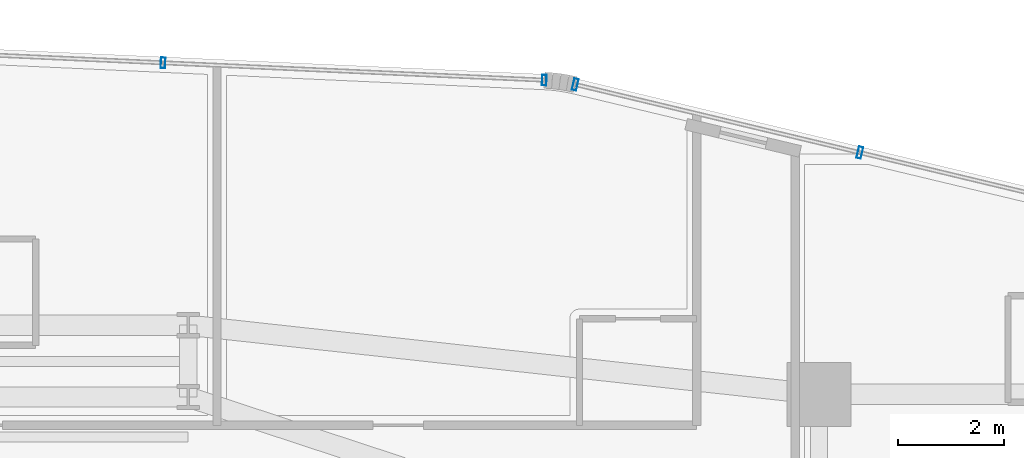
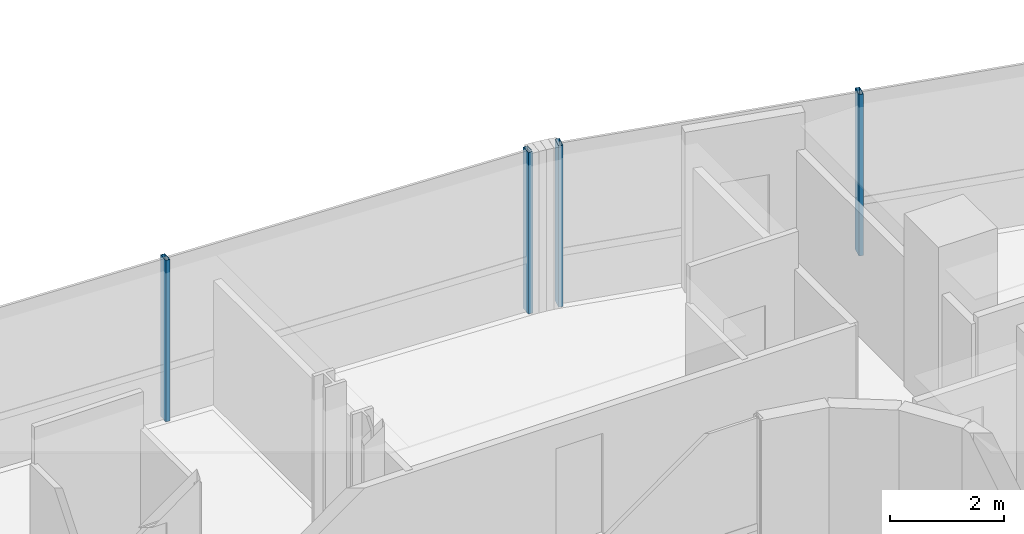
# One storey, part 22 of 35: 4 members, 2 elements without a shape of their own.
"""IFC4 building model written with IfcOpenShell, lengths in metres."""

from ifc_helpers import new_model, si_unit, direction, frame, origin, origin_2d, place, context, subcontext, project, spatial, hollow_rectangle, extrude, source, transform, mapped, material, material_profile, profile_set, type_object, element, aggregate, save


model = new_model("IFC4")

# Units and contexts
model_context = context("Model", 3, precision=1e-05, world=origin(), true_north=direction((0.0, 1.0)))
body_context = subcontext(model_context, "Body", "Model", "MODEL_VIEW")
ifc_project = project(units=[si_unit("LENGTHUNIT", "METRE"), si_unit("AREAUNIT", "SQUARE_METRE"), si_unit("VOLUMEUNIT", "CUBIC_METRE"), si_unit("PLANEANGLEUNIT", "RADIAN"), si_unit("MASSUNIT", "GRAM", prefix="KILO")], contexts=[model_context])

# Site, building, storey
site_placement = place(None, origin())
site = spatial("IfcSite", under=ifc_project, at=site_placement, CompositionType="ELEMENT")
building_placement = place(site_placement, origin())
building = spatial("IfcBuilding", under=site, at=building_placement, Name="Valdorenza Pilgrim Sanctuary Tower", CompositionType="ELEMENT")
storey_placement = place(building_placement, frame((0.0, 0.0, 113.10009765625)))
storey = spatial("IfcBuildingStorey", under=building, at=storey_placement, Name="L28", CompositionType="ELEMENT", Elevation=113.10009765625)

# Curtain wall, members
ifc_material_1 = material(Name="Curtain-wall IGU glazing", Category="glass")
curtain_wall_type_1 = type_object("IfcCurtainWallType", Name="CW-SYS-02", PredefinedType="NOTDEFINED", material=ifc_material_1)
curtain_wall_1_placement = place(storey_placement, origin())
curtain_wall_1 = element("IfcCurtainWall", 1, at=curtain_wall_1_placement, inside=storey, type_object=curtain_wall_type_1, Name="L28 Curtain Wall CW-L28-1-11", PredefinedType="NOTDEFINED")
ifc_material_2 = material(Name="Anodised aluminium AW-6060", Category="aluminium")
ifc_material_profile_1 = material_profile(ifc_material_2, hollow_rectangle(XDim=0.0849609375, YDim=0.199951171875, WallThickness=0.0048828125, at=origin_2d()), Name="ALU-M 200x85x5")
ifc_profile_set_1 = profile_set([ifc_material_profile_1], Name="Anodised aluminium AW-6060")
member_type_1 = type_object("IfcMemberType", Name="CW-MUL-02", PredefinedType="MULLION", material=ifc_profile_set_1)
shared_shape_1 = source(origin(), body_context, "Body", "SweptSolid", [
    extrude(hollow_rectangle(XDim=0.0849609375, YDim=0.199951171875, WallThickness=0.0048828125, at=origin_2d()), origin(), (0.0, 0.0, 1.0), 3.4599609375),
])
member_1_placement = place(storey_placement, frame((3.528076171875, 19.7294921875, 0.0), z_axis=(0.0, 0.0, 1.0), x_axis=(0.998968193221, -0.045415294044, 0.0)))
member_1 = element("IfcMember", 2, at=member_1_placement, type_object=member_type_1, Name="CW-L28-1-11 Mullion 3", PredefinedType="MULLION", context=body_context, shape_type="MappedRepresentation", body=[
    mapped(shared_shape_1, transform((0.0, 0.0, 0.0), x_axis=(1.0, 0.0, 0.0), y_axis=(0.0, 1.0, 0.0), z_axis=(0.0, 0.0, 1.0), scale=1.0)),
])
member_2_placement = place(storey_placement, frame((10.68994140625, 19.404052734375, 0.0), z_axis=(0.0, 0.0, 1.0), x_axis=(0.998968193221, -0.045415294044, 0.0)))
member_2 = element("IfcMember", 3, at=member_2_placement, type_object=member_type_1, Name="CW-L28-1-11 Mullion 4", PredefinedType="MULLION", context=body_context, shape_type="MappedRepresentation", body=[
    mapped(shared_shape_1, transform((0.0, 0.0, 0.0), x_axis=(1.0, 0.0, 0.0), y_axis=(0.0, 1.0, 0.0), z_axis=(0.0, 0.0, 1.0), scale=1.0)),
])
aggregate(curtain_wall_1, [member_1, member_2])

curtain_wall_type_2 = type_object("IfcCurtainWallType", Name="CW-SYS-03", PredefinedType="NOTDEFINED", material=ifc_material_1)
curtain_wall_2_placement = place(storey_placement, origin())
curtain_wall_2 = element("IfcCurtainWall", 4, at=curtain_wall_2_placement, inside=storey, type_object=curtain_wall_type_2, Name="L28 Curtain Wall CW-L28-1-16", PredefinedType="NOTDEFINED")
ifc_material_profile_2 = material_profile(ifc_material_2, hollow_rectangle(XDim=0.0849609375, YDim=0.219970703125, WallThickness=0.0048828125, at=origin_2d()), Name="ALU-M 220x85x5")
ifc_profile_set_2 = profile_set([ifc_material_profile_2], Name="Anodised aluminium AW-6060")
member_type_2 = type_object("IfcMemberType", Name="CW-MUL-03", PredefinedType="MULLION", material=ifc_profile_set_2)
shared_shape_2 = source(origin(), body_context, "Body", "SweptSolid", [
    extrude(hollow_rectangle(XDim=0.0849609375, YDim=0.219970703125, WallThickness=0.0048828125, at=origin_2d()), origin(), (0.0, 0.0, 1.0), 3.4599609375),
])
member_3_placement = place(storey_placement, frame((11.271484375, 19.322021484375, 0.0), z_axis=(0.0, 0.0, 1.0), x_axis=(0.972528596343, -0.232783438617, 0.0)))
member_3 = element("IfcMember", 5, at=member_3_placement, type_object=member_type_2, Name="CW-L28-1-16 Mullion 1", PredefinedType="MULLION", context=body_context, shape_type="MappedRepresentation", body=[
    mapped(shared_shape_2, transform((0.0, 0.0, 0.0), x_axis=(1.0, 0.0, 0.0), y_axis=(0.0, 1.0, 0.0), z_axis=(0.0, 0.0, 1.0), scale=1.0)),
])
member_4_placement = place(storey_placement, frame((16.617919921875, 18.042236328125, 0.0), z_axis=(0.0, 0.0, 1.0), x_axis=(0.972528596343, -0.232783438617, 0.0)))
member_4 = element("IfcMember", 6, at=member_4_placement, type_object=member_type_2, Name="CW-L28-1-16 Mullion 2", PredefinedType="MULLION", context=body_context, shape_type="MappedRepresentation", body=[
    mapped(shared_shape_2, transform((0.0, 0.0, 0.0), x_axis=(1.0, 0.0, 0.0), y_axis=(0.0, 1.0, 0.0), z_axis=(0.0, 0.0, 1.0), scale=1.0)),
])
aggregate(curtain_wall_2, [member_3, member_4])

save(model, "model.ifc")
